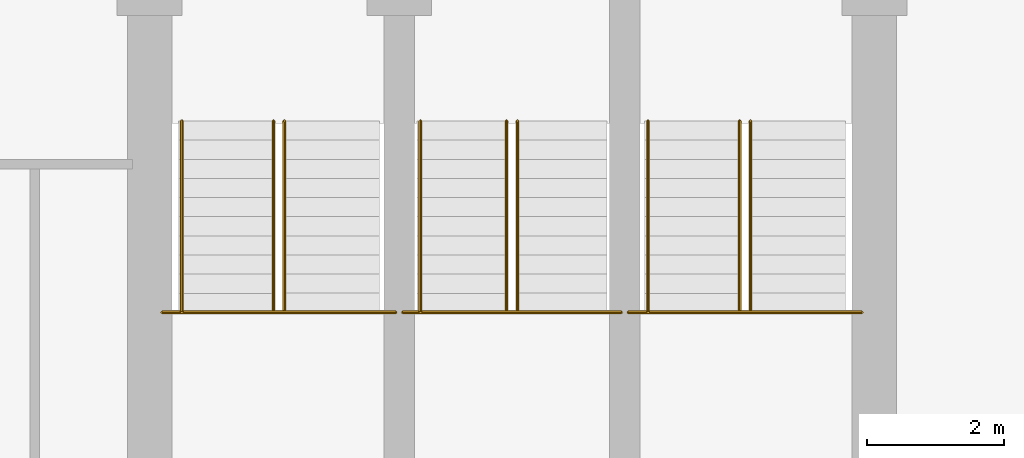
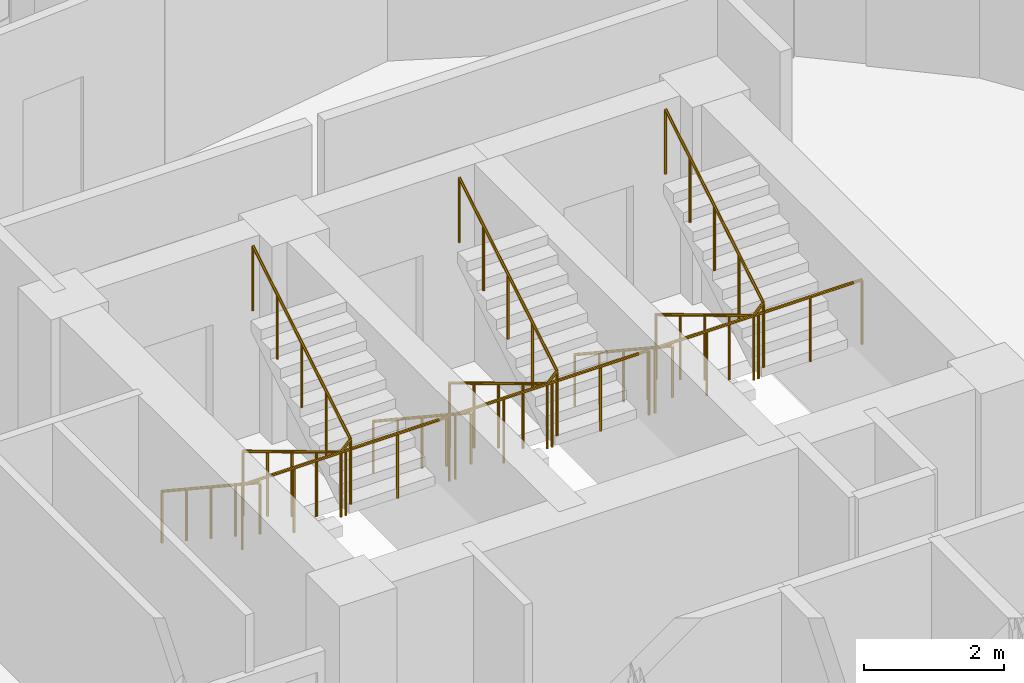
# One storey, part 26 of 26: 9 railings.
"""IFC4 building model written with IfcOpenShell, lengths in metres."""

from ifc_helpers import new_model, si_unit, direction, frame, origin, place, context, subcontext, project, spatial, polyline, outline, extrude, material, type_object, element, save


model = new_model("IFC4")

# Units and contexts
model_context = context("Model", 3, precision=1e-05, world=origin(), true_north=direction((0.0, 1.0)))
body_context = subcontext(model_context, "Body", "Model", "MODEL_VIEW")
ifc_project = project(units=[si_unit("LENGTHUNIT", "METRE"), si_unit("AREAUNIT", "SQUARE_METRE"), si_unit("VOLUMEUNIT", "CUBIC_METRE"), si_unit("PLANEANGLEUNIT", "RADIAN"), si_unit("MASSUNIT", "GRAM", prefix="KILO")], contexts=[model_context])

# Site, building, storey
site_placement = place(None, origin())
site = spatial("IfcSite", under=ifc_project, at=site_placement, CompositionType="ELEMENT")
building_placement = place(site_placement, origin())
building = spatial("IfcBuilding", under=site, at=building_placement, Name="Nuhasar Tower", CompositionType="ELEMENT")
storey_placement = place(building_placement, frame((0.0, 0.0, 177.449951171875)))
storey = spatial("IfcBuildingStorey", under=building, at=storey_placement, Name="L43", CompositionType="ELEMENT", Elevation=177.449951171875)

# Railings
ifc_material_1 = material(Name="Steel S355", Category="steel")
railing_type_1 = type_object("IfcRailingType", Name="RLG-STAIR-GUARD-1150", PredefinedType="GUARDRAIL", material=ifc_material_1)
railing_1_placement = place(storey_placement, frame((33.8798828125, 32.485107421875, 1.85009765625)))
element("IfcRailing", 1, at=railing_1_placement, inside=storey, type_object=railing_type_1, Name="L43 Stair ST-01 Guardrail LND", PredefinedType="GUARDRAIL", context=body_context, shape_type="SweptSolid", body=[
    extrude(outline(polyline([(0.024169921875, 0.0), (0.01708984375, 0.01708984375), (0.0, 0.024169921875), (-0.01708984375, 0.01708984375), (-0.024169921875, 0.0), (-0.01708984375, -0.01708984375), (0.0, -0.024169921875), (0.01708984375, -0.01708984375), (0.024169921875, 0.0)])), frame((0.0, 0.0, 1.1259765625), z_axis=(1.0, 0.0, 0.0), x_axis=(0.0, 1.0, 0.0)), (0.0, 0.0, 1.0), 3.420166015625),
    extrude(outline(polyline([(0.02099609375, 0.0), (0.014892578125, 0.014892578125), (0.0, 0.02099609375), (-0.014892578125, 0.014892578125), (-0.02099609375, 0.0), (-0.014892578125, -0.014892578125), (0.0, -0.02099609375), (0.014892578125, -0.014892578125), (0.02099609375, 0.0)])), origin(), (0.0, 0.0, 1.0), 1.101806640625),
    extrude(outline(polyline([(0.02099609375, 0.0), (0.014892578125, 0.014892578125), (0.0, 0.02099609375), (-0.014892578125, 0.014892578125), (-0.02099609375, 0.0), (-0.014892578125, -0.014892578125), (0.0, -0.02099609375), (0.014892578125, -0.014892578125), (0.02099609375, 0.0)])), frame((0.85498046875, 0.0, 0.0)), (0.0, 0.0, 1.0), 1.101806640625),
    extrude(outline(polyline([(0.02099609375, 0.0), (0.014892578125, 0.014892578125), (0.0, 0.02099609375), (-0.014892578125, 0.014892578125), (-0.02099609375, 0.0), (-0.014892578125, -0.014892578125), (0.0, -0.02099609375), (0.014892578125, -0.014892578125), (0.02099609375, 0.0)])), frame((1.7099609375, 0.0, 0.0)), (0.0, 0.0, 1.0), 1.101806640625),
    extrude(outline(polyline([(0.02099609375, 0.0), (0.014892578125, 0.014892578125), (0.0, 0.02099609375), (-0.014892578125, 0.014892578125), (-0.02099609375, 0.0), (-0.014892578125, -0.014892578125), (0.0, -0.02099609375), (0.014892578125, -0.014892578125), (0.02099609375, 0.0)])), frame((2.565185546875, 0.0, 0.0)), (0.0, 0.0, 1.0), 1.101806640625),
    extrude(outline(polyline([(0.02099609375, 0.0), (0.014892578125, 0.014892578125), (0.0, 0.02099609375), (-0.014892578125, 0.014892578125), (-0.02099609375, 0.0), (-0.014892578125, -0.014892578125), (0.0, -0.02099609375), (0.014892578125, -0.014892578125), (0.02099609375, 0.0)])), frame((3.420166015625, 0.0, 0.0)), (0.0, 0.0, 1.0), 1.101806640625),
])
railing_2_placement = place(storey_placement, frame((35.510009765625, 35.284912109375, 0.16796875)))
element("IfcRailing", 2, at=railing_2_placement, inside=storey, type_object=railing_type_1, Name="L43 Stair ST-01 Guardrail SLT", PredefinedType="GUARDRAIL", context=body_context, shape_type="SweptSolid", body=[
    extrude(outline(polyline([(0.024169921875, 0.0), (0.01708984375, 0.01708984375), (0.0, 0.024169921875), (-0.01708984375, 0.01708984375), (-0.024169921875, 0.0), (-0.01708984375, -0.01708984375), (0.0, -0.024169921875), (0.01708984375, -0.01708984375), (0.024169921875, 0.0)])), frame((0.0, 0.0, 1.1259765625), z_axis=(0.0, -0.857189395008, 0.515001302023), x_axis=(1.0, 0.0, 0.0)), (0.0, 0.0, 1.0), 3.266357421875),
    extrude(outline(polyline([(0.024169921875, 0.0), (0.01708984375, 0.01708984375), (0.0, 0.024169921875), (-0.01708984375, 0.01708984375), (-0.024169921875, 0.0), (-0.01708984375, -0.01708984375), (0.0, -0.024169921875), (0.01708984375, -0.01708984375), (0.024169921875, 0.0)])), frame((0.0, -2.7998046875, 2.80810546875), z_axis=(0.689523729023, 0.0, 0.72426309247), x_axis=(0.0, 1.0, 0.0)), (0.0, 0.0, 1.0), 0.23193359375),
    extrude(outline(polyline([(0.024169921875, 0.0), (0.01708984375, 0.01708984375), (0.0, 0.024169921875), (-0.01708984375, 0.01708984375), (-0.024169921875, 0.0), (-0.01708984375, -0.01708984375), (0.0, -0.024169921875), (0.01708984375, -0.01708984375), (0.024169921875, 0.0)])), frame((0.159912109375, -2.7998046875, 2.97607421875), z_axis=(0.0, 0.857222391501, 0.514946377315), x_axis=(-1.0, 0.0, 0.0)), (0.0, 0.0, 1.0), 3.26611328125),
    extrude(outline(polyline([(0.02099609375, 0.0), (0.014892578125, 0.014892578125), (0.0, 0.02099609375), (-0.014892578125, 0.014892578125), (-0.02099609375, 0.0), (-0.014892578125, -0.014892578125), (0.0, -0.02099609375), (0.014892578125, -0.014892578125), (0.02099609375, 0.0)])), origin(), (0.0, 0.0, 1.0), 1.101806640625),
    extrude(outline(polyline([(0.02099609375, 0.0), (0.014892578125, 0.014892578125), (0.0, 0.02099609375), (-0.014892578125, 0.014892578125), (-0.02099609375, 0.0), (-0.014892578125, -0.014892578125), (0.0, -0.02099609375), (0.014892578125, -0.014892578125), (0.02099609375, 0.0)])), frame((0.0, -0.699951171875, 0.42041015625)), (0.0, 0.0, 1.0), 1.101806640625),
    extrude(outline(polyline([(0.02099609375, 0.0), (0.014892578125, 0.014892578125), (0.0, 0.02099609375), (-0.014892578125, 0.014892578125), (-0.02099609375, 0.0), (-0.014892578125, -0.014892578125), (0.0, -0.02099609375), (0.014892578125, -0.014892578125), (0.02099609375, 0.0)])), frame((0.0, -1.39990234375, 0.841064453125)), (0.0, 0.0, 1.0), 1.101806640625),
    extrude(outline(polyline([(0.02099609375, 0.0), (0.014892578125, 0.014892578125), (0.0, 0.02099609375), (-0.014892578125, 0.014892578125), (-0.02099609375, 0.0), (-0.014892578125, -0.014892578125), (0.0, -0.02099609375), (0.014892578125, -0.014892578125), (0.02099609375, 0.0)])), frame((0.0, -2.099853515625, 1.26171875)), (0.0, 0.0, 1.0), 1.101806640625),
    extrude(outline(polyline([(0.02099609375, 0.0), (0.014892578125, 0.014892578125), (0.0, 0.02099609375), (-0.014892578125, 0.014892578125), (-0.02099609375, 0.0), (-0.014892578125, -0.014892578125), (0.0, -0.02099609375), (0.014892578125, -0.014892578125), (0.02099609375, 0.0)])), frame((0.0, -2.7998046875, 1.68212890625)), (0.0, 0.0, 1.0), 1.101806640625),
    extrude(outline(polyline([(0.02099609375, 0.0), (0.014892578125, 0.014892578125), (0.0, 0.02099609375), (-0.014892578125, 0.014892578125), (-0.02099609375, 0.0), (-0.014892578125, -0.014892578125), (0.0, -0.02099609375), (0.014892578125, -0.014892578125), (0.02099609375, 0.0)])), frame((0.159912109375, -2.7998046875, 1.85009765625)), (0.0, 0.0, 1.0), 1.101806640625),
    extrude(outline(polyline([(0.02099609375, 0.0), (0.014892578125, 0.014892578125), (0.0, 0.02099609375), (-0.014892578125, 0.014892578125), (-0.02099609375, 0.0), (-0.014892578125, -0.014892578125), (0.0, -0.02099609375), (0.014892578125, -0.014892578125), (0.02099609375, 0.0)])), frame((0.159912109375, -2.099853515625, 2.2705078125)), (0.0, 0.0, 1.0), 1.101806640625),
    extrude(outline(polyline([(0.02099609375, 0.0), (0.014892578125, 0.014892578125), (0.0, 0.02099609375), (-0.014892578125, 0.014892578125), (-0.02099609375, 0.0), (-0.014892578125, -0.014892578125), (0.0, -0.02099609375), (0.014892578125, -0.014892578125), (0.02099609375, 0.0)])), frame((0.159912109375, -1.39990234375, 2.69091796875)), (0.0, 0.0, 1.0), 1.101806640625),
    extrude(outline(polyline([(0.02099609375, 0.0), (0.014892578125, 0.014892578125), (0.0, 0.02099609375), (-0.014892578125, 0.014892578125), (-0.02099609375, 0.0), (-0.014892578125, -0.014892578125), (0.0, -0.02099609375), (0.014892578125, -0.014892578125), (0.02099609375, 0.0)])), frame((0.159912109375, -0.699951171875, 3.111572265625)), (0.0, 0.0, 1.0), 1.101806640625),
    extrude(outline(polyline([(0.02099609375, 0.0), (0.014892578125, 0.014892578125), (0.0, 0.02099609375), (-0.014892578125, 0.014892578125), (-0.02099609375, 0.0), (-0.014892578125, -0.014892578125), (0.0, -0.02099609375), (0.014892578125, -0.014892578125), (0.02099609375, 0.0)])), frame((0.159912109375, 0.0, 3.531982421875)), (0.0, 0.0, 1.0), 1.101806640625),
])
railing_3_placement = place(storey_placement, frame((37.39990234375, 32.485107421875, 1.85009765625)))
element("IfcRailing", 3, at=railing_3_placement, inside=storey, type_object=railing_type_1, Name="L43 Stair ST-03 Guardrail LND", PredefinedType="GUARDRAIL", context=body_context, shape_type="SweptSolid", body=[
    extrude(outline(polyline([(0.024169921875, 0.0), (0.01708984375, 0.01708984375), (0.0, 0.024169921875), (-0.01708984375, 0.01708984375), (-0.024169921875, 0.0), (-0.01708984375, -0.01708984375), (0.0, -0.024169921875), (0.01708984375, -0.01708984375), (0.024169921875, 0.0)])), frame((0.0, 0.0, 1.1259765625), z_axis=(1.0, 0.0, 0.0), x_axis=(0.0, 1.0, 0.0)), (0.0, 0.0, 1.0), 3.2001953125),
    extrude(outline(polyline([(0.02099609375, 0.0), (0.014892578125, 0.014892578125), (0.0, 0.02099609375), (-0.014892578125, 0.014892578125), (-0.02099609375, 0.0), (-0.014892578125, -0.014892578125), (0.0, -0.02099609375), (0.014892578125, -0.014892578125), (0.02099609375, 0.0)])), origin(), (0.0, 0.0, 1.0), 1.101806640625),
    extrude(outline(polyline([(0.02099609375, 0.0), (0.014892578125, 0.014892578125), (0.0, 0.02099609375), (-0.014892578125, 0.014892578125), (-0.02099609375, 0.0), (-0.014892578125, -0.014892578125), (0.0, -0.02099609375), (0.014892578125, -0.014892578125), (0.02099609375, 0.0)])), frame((0.800048828125, 0.0, 0.0)), (0.0, 0.0, 1.0), 1.101806640625),
    extrude(outline(polyline([(0.02099609375, 0.0), (0.014892578125, 0.014892578125), (0.0, 0.02099609375), (-0.014892578125, 0.014892578125), (-0.02099609375, 0.0), (-0.014892578125, -0.014892578125), (0.0, -0.02099609375), (0.014892578125, -0.014892578125), (0.02099609375, 0.0)])), frame((1.60009765625, 0.0, 0.0)), (0.0, 0.0, 1.0), 1.101806640625),
    extrude(outline(polyline([(0.02099609375, 0.0), (0.014892578125, 0.014892578125), (0.0, 0.02099609375), (-0.014892578125, 0.014892578125), (-0.02099609375, 0.0), (-0.014892578125, -0.014892578125), (0.0, -0.02099609375), (0.014892578125, -0.014892578125), (0.02099609375, 0.0)])), frame((2.400146484375, 0.0, 0.0)), (0.0, 0.0, 1.0), 1.101806640625),
    extrude(outline(polyline([(0.02099609375, 0.0), (0.014892578125, 0.014892578125), (0.0, 0.02099609375), (-0.014892578125, 0.014892578125), (-0.02099609375, 0.0), (-0.014892578125, -0.014892578125), (0.0, -0.02099609375), (0.014892578125, -0.014892578125), (0.02099609375, 0.0)])), frame((3.2001953125, 0.0, 0.0)), (0.0, 0.0, 1.0), 1.101806640625),
])
railing_4_placement = place(storey_placement, frame((38.919921875, 35.284912109375, 0.16796875)))
element("IfcRailing", 4, at=railing_4_placement, inside=storey, type_object=railing_type_1, Name="L43 Stair ST-03 Guardrail SLT", PredefinedType="GUARDRAIL", context=body_context, shape_type="SweptSolid", body=[
    extrude(outline(polyline([(0.024169921875, 0.0), (0.01708984375, 0.01708984375), (0.0, 0.024169921875), (-0.01708984375, 0.01708984375), (-0.024169921875, 0.0), (-0.01708984375, -0.01708984375), (0.0, -0.024169921875), (0.01708984375, -0.01708984375), (0.024169921875, 0.0)])), frame((0.0, 0.0, 1.1259765625), z_axis=(0.0, -0.857189395008, 0.515001302023), x_axis=(1.0, 0.0, 0.0)), (0.0, 0.0, 1.0), 3.266357421875),
    extrude(outline(polyline([(0.024169921875, 0.0), (0.01708984375, 0.01708984375), (0.0, 0.024169921875), (-0.01708984375, 0.01708984375), (-0.024169921875, 0.0), (-0.01708984375, -0.01708984375), (0.0, -0.024169921875), (0.01708984375, -0.01708984375), (0.024169921875, 0.0)])), frame((0.0, -2.7998046875, 2.80810546875), z_axis=(0.690075333573, 0.0, 0.723737544967), x_axis=(0.0, 1.0, 0.0)), (0.0, 0.0, 1.0), 0.232177734375),
    extrude(outline(polyline([(0.024169921875, 0.0), (0.01708984375, 0.01708984375), (0.0, 0.024169921875), (-0.01708984375, 0.01708984375), (-0.024169921875, 0.0), (-0.01708984375, -0.01708984375), (0.0, -0.024169921875), (0.01708984375, -0.01708984375), (0.024169921875, 0.0)])), frame((0.16015625, -2.7998046875, 2.97607421875), z_axis=(0.0, 0.857222391501, 0.514946377315), x_axis=(-1.0, 0.0, 0.0)), (0.0, 0.0, 1.0), 3.26611328125),
    extrude(outline(polyline([(0.02099609375, 0.0), (0.014892578125, 0.014892578125), (0.0, 0.02099609375), (-0.014892578125, 0.014892578125), (-0.02099609375, 0.0), (-0.014892578125, -0.014892578125), (0.0, -0.02099609375), (0.014892578125, -0.014892578125), (0.02099609375, 0.0)])), origin(), (0.0, 0.0, 1.0), 1.101806640625),
    extrude(outline(polyline([(0.02099609375, 0.0), (0.014892578125, 0.014892578125), (0.0, 0.02099609375), (-0.014892578125, 0.014892578125), (-0.02099609375, 0.0), (-0.014892578125, -0.014892578125), (0.0, -0.02099609375), (0.014892578125, -0.014892578125), (0.02099609375, 0.0)])), frame((0.0, -0.699951171875, 0.42041015625)), (0.0, 0.0, 1.0), 1.101806640625),
    extrude(outline(polyline([(0.02099609375, 0.0), (0.014892578125, 0.014892578125), (0.0, 0.02099609375), (-0.014892578125, 0.014892578125), (-0.02099609375, 0.0), (-0.014892578125, -0.014892578125), (0.0, -0.02099609375), (0.014892578125, -0.014892578125), (0.02099609375, 0.0)])), frame((0.0, -1.39990234375, 0.841064453125)), (0.0, 0.0, 1.0), 1.101806640625),
    extrude(outline(polyline([(0.02099609375, 0.0), (0.014892578125, 0.014892578125), (0.0, 0.02099609375), (-0.014892578125, 0.014892578125), (-0.02099609375, 0.0), (-0.014892578125, -0.014892578125), (0.0, -0.02099609375), (0.014892578125, -0.014892578125), (0.02099609375, 0.0)])), frame((0.0, -2.099853515625, 1.26171875)), (0.0, 0.0, 1.0), 1.101806640625),
    extrude(outline(polyline([(0.02099609375, 0.0), (0.014892578125, 0.014892578125), (0.0, 0.02099609375), (-0.014892578125, 0.014892578125), (-0.02099609375, 0.0), (-0.014892578125, -0.014892578125), (0.0, -0.02099609375), (0.014892578125, -0.014892578125), (0.02099609375, 0.0)])), frame((0.0, -2.7998046875, 1.68212890625)), (0.0, 0.0, 1.0), 1.101806640625),
    extrude(outline(polyline([(0.02099609375, 0.0), (0.014892578125, 0.014892578125), (0.0, 0.02099609375), (-0.014892578125, 0.014892578125), (-0.02099609375, 0.0), (-0.014892578125, -0.014892578125), (0.0, -0.02099609375), (0.014892578125, -0.014892578125), (0.02099609375, 0.0)])), frame((0.16015625, -2.7998046875, 1.85009765625)), (0.0, 0.0, 1.0), 1.101806640625),
    extrude(outline(polyline([(0.02099609375, 0.0), (0.014892578125, 0.014892578125), (0.0, 0.02099609375), (-0.014892578125, 0.014892578125), (-0.02099609375, 0.0), (-0.014892578125, -0.014892578125), (0.0, -0.02099609375), (0.014892578125, -0.014892578125), (0.02099609375, 0.0)])), frame((0.16015625, -2.099853515625, 2.2705078125)), (0.0, 0.0, 1.0), 1.101806640625),
    extrude(outline(polyline([(0.02099609375, 0.0), (0.014892578125, 0.014892578125), (0.0, 0.02099609375), (-0.014892578125, 0.014892578125), (-0.02099609375, 0.0), (-0.014892578125, -0.014892578125), (0.0, -0.02099609375), (0.014892578125, -0.014892578125), (0.02099609375, 0.0)])), frame((0.16015625, -1.39990234375, 2.69091796875)), (0.0, 0.0, 1.0), 1.101806640625),
    extrude(outline(polyline([(0.02099609375, 0.0), (0.014892578125, 0.014892578125), (0.0, 0.02099609375), (-0.014892578125, 0.014892578125), (-0.02099609375, 0.0), (-0.014892578125, -0.014892578125), (0.0, -0.02099609375), (0.014892578125, -0.014892578125), (0.02099609375, 0.0)])), frame((0.16015625, -0.699951171875, 3.111572265625)), (0.0, 0.0, 1.0), 1.101806640625),
    extrude(outline(polyline([(0.02099609375, 0.0), (0.014892578125, 0.014892578125), (0.0, 0.02099609375), (-0.014892578125, 0.014892578125), (-0.02099609375, 0.0), (-0.014892578125, -0.014892578125), (0.0, -0.02099609375), (0.014892578125, -0.014892578125), (0.02099609375, 0.0)])), frame((0.16015625, 0.0, 3.531982421875)), (0.0, 0.0, 1.0), 1.101806640625),
])
railing_5_placement = place(storey_placement, frame((40.699951171875, 32.485107421875, 1.85009765625)))
element("IfcRailing", 5, at=railing_5_placement, inside=storey, type_object=railing_type_1, Name="L43 Stair ST-02 Guardrail LND", PredefinedType="GUARDRAIL", context=body_context, shape_type="SweptSolid", body=[
    extrude(outline(polyline([(0.024169921875, 0.0), (0.01708984375, 0.01708984375), (0.0, 0.024169921875), (-0.01708984375, 0.01708984375), (-0.024169921875, 0.0), (-0.01708984375, -0.01708984375), (0.0, -0.024169921875), (0.01708984375, -0.01708984375), (0.024169921875, 0.0)])), frame((0.0, 0.0, 1.1259765625), z_axis=(1.0, 0.0, 0.0), x_axis=(0.0, 1.0, 0.0)), (0.0, 0.0, 1.0), 3.420166015625),
    extrude(outline(polyline([(0.02099609375, 0.0), (0.014892578125, 0.014892578125), (0.0, 0.02099609375), (-0.014892578125, 0.014892578125), (-0.02099609375, 0.0), (-0.014892578125, -0.014892578125), (0.0, -0.02099609375), (0.014892578125, -0.014892578125), (0.02099609375, 0.0)])), origin(), (0.0, 0.0, 1.0), 1.101806640625),
    extrude(outline(polyline([(0.02099609375, 0.0), (0.014892578125, 0.014892578125), (0.0, 0.02099609375), (-0.014892578125, 0.014892578125), (-0.02099609375, 0.0), (-0.014892578125, -0.014892578125), (0.0, -0.02099609375), (0.014892578125, -0.014892578125), (0.02099609375, 0.0)])), frame((0.85498046875, 0.0, 0.0)), (0.0, 0.0, 1.0), 1.101806640625),
    extrude(outline(polyline([(0.02099609375, 0.0), (0.014892578125, 0.014892578125), (0.0, 0.02099609375), (-0.014892578125, 0.014892578125), (-0.02099609375, 0.0), (-0.014892578125, -0.014892578125), (0.0, -0.02099609375), (0.014892578125, -0.014892578125), (0.02099609375, 0.0)])), frame((1.7099609375, 0.0, 0.0)), (0.0, 0.0, 1.0), 1.101806640625),
    extrude(outline(polyline([(0.02099609375, 0.0), (0.014892578125, 0.014892578125), (0.0, 0.02099609375), (-0.014892578125, 0.014892578125), (-0.02099609375, 0.0), (-0.014892578125, -0.014892578125), (0.0, -0.02099609375), (0.014892578125, -0.014892578125), (0.02099609375, 0.0)])), frame((2.565185546875, 0.0, 0.0)), (0.0, 0.0, 1.0), 1.101806640625),
    extrude(outline(polyline([(0.02099609375, 0.0), (0.014892578125, 0.014892578125), (0.0, 0.02099609375), (-0.014892578125, 0.014892578125), (-0.02099609375, 0.0), (-0.014892578125, -0.014892578125), (0.0, -0.02099609375), (0.014892578125, -0.014892578125), (0.02099609375, 0.0)])), frame((3.420166015625, 0.0, 0.0)), (0.0, 0.0, 1.0), 1.101806640625),
])
railing_6_placement = place(storey_placement, frame((42.330078125, 35.284912109375, 0.16796875)))
element("IfcRailing", 6, at=railing_6_placement, inside=storey, type_object=railing_type_1, Name="L43 Stair ST-02 Guardrail SLT", PredefinedType="GUARDRAIL", context=body_context, shape_type="SweptSolid", body=[
    extrude(outline(polyline([(0.024169921875, 0.0), (0.01708984375, 0.01708984375), (0.0, 0.024169921875), (-0.01708984375, 0.01708984375), (-0.024169921875, 0.0), (-0.01708984375, -0.01708984375), (0.0, -0.024169921875), (0.01708984375, -0.01708984375), (0.024169921875, 0.0)])), frame((0.0, 0.0, 1.1259765625), z_axis=(0.0, -0.857189395008, 0.515001302023), x_axis=(1.0, 0.0, 0.0)), (0.0, 0.0, 1.0), 3.266357421875),
    extrude(outline(polyline([(0.024169921875, 0.0), (0.01708984375, 0.01708984375), (0.0, 0.024169921875), (-0.01708984375, 0.01708984375), (-0.024169921875, 0.0), (-0.01708984375, -0.01708984375), (0.0, -0.024169921875), (0.01708984375, -0.01708984375), (0.024169921875, 0.0)])), frame((0.0, -2.7998046875, 2.80810546875), z_axis=(0.689523729023, 0.0, 0.72426309247), x_axis=(0.0, 1.0, 0.0)), (0.0, 0.0, 1.0), 0.23193359375),
    extrude(outline(polyline([(0.024169921875, 0.0), (0.01708984375, 0.01708984375), (0.0, 0.024169921875), (-0.01708984375, 0.01708984375), (-0.024169921875, 0.0), (-0.01708984375, -0.01708984375), (0.0, -0.024169921875), (0.01708984375, -0.01708984375), (0.024169921875, 0.0)])), frame((0.159912109375, -2.7998046875, 2.97607421875), z_axis=(0.0, 0.857222391501, 0.514946377315), x_axis=(-1.0, 0.0, 0.0)), (0.0, 0.0, 1.0), 3.26611328125),
    extrude(outline(polyline([(0.02099609375, 0.0), (0.014892578125, 0.014892578125), (0.0, 0.02099609375), (-0.014892578125, 0.014892578125), (-0.02099609375, 0.0), (-0.014892578125, -0.014892578125), (0.0, -0.02099609375), (0.014892578125, -0.014892578125), (0.02099609375, 0.0)])), origin(), (0.0, 0.0, 1.0), 1.101806640625),
    extrude(outline(polyline([(0.02099609375, 0.0), (0.014892578125, 0.014892578125), (0.0, 0.02099609375), (-0.014892578125, 0.014892578125), (-0.02099609375, 0.0), (-0.014892578125, -0.014892578125), (0.0, -0.02099609375), (0.014892578125, -0.014892578125), (0.02099609375, 0.0)])), frame((0.0, -0.699951171875, 0.42041015625)), (0.0, 0.0, 1.0), 1.101806640625),
    extrude(outline(polyline([(0.02099609375, 0.0), (0.014892578125, 0.014892578125), (0.0, 0.02099609375), (-0.014892578125, 0.014892578125), (-0.02099609375, 0.0), (-0.014892578125, -0.014892578125), (0.0, -0.02099609375), (0.014892578125, -0.014892578125), (0.02099609375, 0.0)])), frame((0.0, -1.39990234375, 0.841064453125)), (0.0, 0.0, 1.0), 1.101806640625),
    extrude(outline(polyline([(0.02099609375, 0.0), (0.014892578125, 0.014892578125), (0.0, 0.02099609375), (-0.014892578125, 0.014892578125), (-0.02099609375, 0.0), (-0.014892578125, -0.014892578125), (0.0, -0.02099609375), (0.014892578125, -0.014892578125), (0.02099609375, 0.0)])), frame((0.0, -2.099853515625, 1.26171875)), (0.0, 0.0, 1.0), 1.101806640625),
    extrude(outline(polyline([(0.02099609375, 0.0), (0.014892578125, 0.014892578125), (0.0, 0.02099609375), (-0.014892578125, 0.014892578125), (-0.02099609375, 0.0), (-0.014892578125, -0.014892578125), (0.0, -0.02099609375), (0.014892578125, -0.014892578125), (0.02099609375, 0.0)])), frame((0.0, -2.7998046875, 1.68212890625)), (0.0, 0.0, 1.0), 1.101806640625),
    extrude(outline(polyline([(0.02099609375, 0.0), (0.014892578125, 0.014892578125), (0.0, 0.02099609375), (-0.014892578125, 0.014892578125), (-0.02099609375, 0.0), (-0.014892578125, -0.014892578125), (0.0, -0.02099609375), (0.014892578125, -0.014892578125), (0.02099609375, 0.0)])), frame((0.159912109375, -2.7998046875, 1.85009765625)), (0.0, 0.0, 1.0), 1.101806640625),
    extrude(outline(polyline([(0.02099609375, 0.0), (0.014892578125, 0.014892578125), (0.0, 0.02099609375), (-0.014892578125, 0.014892578125), (-0.02099609375, 0.0), (-0.014892578125, -0.014892578125), (0.0, -0.02099609375), (0.014892578125, -0.014892578125), (0.02099609375, 0.0)])), frame((0.159912109375, -2.099853515625, 2.2705078125)), (0.0, 0.0, 1.0), 1.101806640625),
    extrude(outline(polyline([(0.02099609375, 0.0), (0.014892578125, 0.014892578125), (0.0, 0.02099609375), (-0.014892578125, 0.014892578125), (-0.02099609375, 0.0), (-0.014892578125, -0.014892578125), (0.0, -0.02099609375), (0.014892578125, -0.014892578125), (0.02099609375, 0.0)])), frame((0.159912109375, -1.39990234375, 2.69091796875)), (0.0, 0.0, 1.0), 1.101806640625),
    extrude(outline(polyline([(0.02099609375, 0.0), (0.014892578125, 0.014892578125), (0.0, 0.02099609375), (-0.014892578125, 0.014892578125), (-0.02099609375, 0.0), (-0.014892578125, -0.014892578125), (0.0, -0.02099609375), (0.014892578125, -0.014892578125), (0.02099609375, 0.0)])), frame((0.159912109375, -0.699951171875, 3.111572265625)), (0.0, 0.0, 1.0), 1.101806640625),
    extrude(outline(polyline([(0.02099609375, 0.0), (0.014892578125, 0.014892578125), (0.0, 0.02099609375), (-0.014892578125, 0.014892578125), (-0.02099609375, 0.0), (-0.014892578125, -0.014892578125), (0.0, -0.02099609375), (0.014892578125, -0.014892578125), (0.02099609375, 0.0)])), frame((0.159912109375, 0.0, 3.531982421875)), (0.0, 0.0, 1.0), 1.101806640625),
])
ifc_material_2 = material(Name="Stainless Steel 316L", Category="steel")
railing_type_2 = type_object("IfcRailingType", Name="RLG-STAIR-HAND-920", PredefinedType="HANDRAIL", material=ifc_material_2)
railing_7_placement = place(storey_placement, frame((34.169921875, 35.284912109375, 0.16796875)))
element("IfcRailing", 7, at=railing_7_placement, inside=storey, type_object=railing_type_2, Name="L43 Stair ST-01 Handrail HND1", PredefinedType="HANDRAIL", context=body_context, shape_type="SweptSolid", body=[
    extrude(outline(polyline([(0.024169921875, 0.0), (0.01708984375, 0.01708984375), (0.0, 0.024169921875), (-0.01708984375, 0.01708984375), (-0.024169921875, 0.0), (-0.01708984375, -0.01708984375), (0.0, -0.024169921875), (0.01708984375, -0.01708984375), (0.024169921875, 0.0)])), frame((0.0, 0.0, 0.89599609375), z_axis=(0.0, -0.834304248922, 0.551304290053), x_axis=(1.0, 0.0, 0.0)), (0.0, 0.0, 1.0), 3.35595703125),
    extrude(outline(polyline([(0.02099609375, 0.0), (0.014892578125, 0.014892578125), (0.0, 0.02099609375), (-0.014892578125, 0.014892578125), (-0.02099609375, 0.0), (-0.014892578125, -0.014892578125), (0.0, -0.02099609375), (0.014892578125, -0.014892578125), (0.02099609375, 0.0)])), origin(), (0.0, 0.0, 1.0), 0.871826171875),
    extrude(outline(polyline([(0.02099609375, 0.0), (0.014892578125, 0.014892578125), (0.0, 0.02099609375), (-0.014892578125, 0.014892578125), (-0.02099609375, 0.0), (-0.014892578125, -0.014892578125), (0.0, -0.02099609375), (0.014892578125, -0.014892578125), (0.02099609375, 0.0)])), frame((0.0, -0.699951171875, 0.46240234375)), (0.0, 0.0, 1.0), 0.871826171875),
    extrude(outline(polyline([(0.02099609375, 0.0), (0.014892578125, 0.014892578125), (0.0, 0.02099609375), (-0.014892578125, 0.014892578125), (-0.02099609375, 0.0), (-0.014892578125, -0.014892578125), (0.0, -0.02099609375), (0.014892578125, -0.014892578125), (0.02099609375, 0.0)])), frame((0.0, -1.39990234375, 0.925048828125)), (0.0, 0.0, 1.0), 0.871826171875),
    extrude(outline(polyline([(0.02099609375, 0.0), (0.014892578125, 0.014892578125), (0.0, 0.02099609375), (-0.014892578125, 0.014892578125), (-0.02099609375, 0.0), (-0.014892578125, -0.014892578125), (0.0, -0.02099609375), (0.014892578125, -0.014892578125), (0.02099609375, 0.0)])), frame((0.0, -2.099853515625, 1.3876953125)), (0.0, 0.0, 1.0), 0.871826171875),
    extrude(outline(polyline([(0.02099609375, 0.0), (0.014892578125, 0.014892578125), (0.0, 0.02099609375), (-0.014892578125, 0.014892578125), (-0.02099609375, 0.0), (-0.014892578125, -0.014892578125), (0.0, -0.02099609375), (0.014892578125, -0.014892578125), (0.02099609375, 0.0)])), frame((0.0, -2.7998046875, 1.85009765625)), (0.0, 0.0, 1.0), 0.871826171875),
])
railing_8_placement = place(storey_placement, frame((37.659912109375, 35.284912109375, 0.16796875)))
element("IfcRailing", 8, at=railing_8_placement, inside=storey, type_object=railing_type_2, Name="L43 Stair ST-03 Handrail HND1", PredefinedType="HANDRAIL", context=body_context, shape_type="SweptSolid", body=[
    extrude(outline(polyline([(0.024169921875, 0.0), (0.01708984375, 0.01708984375), (0.0, 0.024169921875), (-0.01708984375, 0.01708984375), (-0.024169921875, 0.0), (-0.01708984375, -0.01708984375), (0.0, -0.024169921875), (0.01708984375, -0.01708984375), (0.024169921875, 0.0)])), frame((0.0, 0.0, 0.89599609375), z_axis=(0.0, -0.834304248922, 0.551304290053), x_axis=(1.0, 0.0, 0.0)), (0.0, 0.0, 1.0), 3.35595703125),
    extrude(outline(polyline([(0.02099609375, 0.0), (0.014892578125, 0.014892578125), (0.0, 0.02099609375), (-0.014892578125, 0.014892578125), (-0.02099609375, 0.0), (-0.014892578125, -0.014892578125), (0.0, -0.02099609375), (0.014892578125, -0.014892578125), (0.02099609375, 0.0)])), origin(), (0.0, 0.0, 1.0), 0.871826171875),
    extrude(outline(polyline([(0.02099609375, 0.0), (0.014892578125, 0.014892578125), (0.0, 0.02099609375), (-0.014892578125, 0.014892578125), (-0.02099609375, 0.0), (-0.014892578125, -0.014892578125), (0.0, -0.02099609375), (0.014892578125, -0.014892578125), (0.02099609375, 0.0)])), frame((0.0, -0.699951171875, 0.46240234375)), (0.0, 0.0, 1.0), 0.871826171875),
    extrude(outline(polyline([(0.02099609375, 0.0), (0.014892578125, 0.014892578125), (0.0, 0.02099609375), (-0.014892578125, 0.014892578125), (-0.02099609375, 0.0), (-0.014892578125, -0.014892578125), (0.0, -0.02099609375), (0.014892578125, -0.014892578125), (0.02099609375, 0.0)])), frame((0.0, -1.39990234375, 0.925048828125)), (0.0, 0.0, 1.0), 0.871826171875),
    extrude(outline(polyline([(0.02099609375, 0.0), (0.014892578125, 0.014892578125), (0.0, 0.02099609375), (-0.014892578125, 0.014892578125), (-0.02099609375, 0.0), (-0.014892578125, -0.014892578125), (0.0, -0.02099609375), (0.014892578125, -0.014892578125), (0.02099609375, 0.0)])), frame((0.0, -2.099853515625, 1.3876953125)), (0.0, 0.0, 1.0), 0.871826171875),
    extrude(outline(polyline([(0.02099609375, 0.0), (0.014892578125, 0.014892578125), (0.0, 0.02099609375), (-0.014892578125, 0.014892578125), (-0.02099609375, 0.0), (-0.014892578125, -0.014892578125), (0.0, -0.02099609375), (0.014892578125, -0.014892578125), (0.02099609375, 0.0)])), frame((0.0, -2.7998046875, 1.85009765625)), (0.0, 0.0, 1.0), 0.871826171875),
])
railing_9_placement = place(storey_placement, frame((40.989990234375, 35.284912109375, 0.16796875)))
element("IfcRailing", 9, at=railing_9_placement, inside=storey, type_object=railing_type_2, Name="L43 Stair ST-02 Handrail HND1", PredefinedType="HANDRAIL", context=body_context, shape_type="SweptSolid", body=[
    extrude(outline(polyline([(0.024169921875, 0.0), (0.01708984375, 0.01708984375), (0.0, 0.024169921875), (-0.01708984375, 0.01708984375), (-0.024169921875, 0.0), (-0.01708984375, -0.01708984375), (0.0, -0.024169921875), (0.01708984375, -0.01708984375), (0.024169921875, 0.0)])), frame((0.0, 0.0, 0.89599609375), z_axis=(0.0, -0.834304248922, 0.551304290053), x_axis=(1.0, 0.0, 0.0)), (0.0, 0.0, 1.0), 3.35595703125),
    extrude(outline(polyline([(0.02099609375, 0.0), (0.014892578125, 0.014892578125), (0.0, 0.02099609375), (-0.014892578125, 0.014892578125), (-0.02099609375, 0.0), (-0.014892578125, -0.014892578125), (0.0, -0.02099609375), (0.014892578125, -0.014892578125), (0.02099609375, 0.0)])), origin(), (0.0, 0.0, 1.0), 0.871826171875),
    extrude(outline(polyline([(0.02099609375, 0.0), (0.014892578125, 0.014892578125), (0.0, 0.02099609375), (-0.014892578125, 0.014892578125), (-0.02099609375, 0.0), (-0.014892578125, -0.014892578125), (0.0, -0.02099609375), (0.014892578125, -0.014892578125), (0.02099609375, 0.0)])), frame((0.0, -0.699951171875, 0.46240234375)), (0.0, 0.0, 1.0), 0.871826171875),
    extrude(outline(polyline([(0.02099609375, 0.0), (0.014892578125, 0.014892578125), (0.0, 0.02099609375), (-0.014892578125, 0.014892578125), (-0.02099609375, 0.0), (-0.014892578125, -0.014892578125), (0.0, -0.02099609375), (0.014892578125, -0.014892578125), (0.02099609375, 0.0)])), frame((0.0, -1.39990234375, 0.925048828125)), (0.0, 0.0, 1.0), 0.871826171875),
    extrude(outline(polyline([(0.02099609375, 0.0), (0.014892578125, 0.014892578125), (0.0, 0.02099609375), (-0.014892578125, 0.014892578125), (-0.02099609375, 0.0), (-0.014892578125, -0.014892578125), (0.0, -0.02099609375), (0.014892578125, -0.014892578125), (0.02099609375, 0.0)])), frame((0.0, -2.099853515625, 1.3876953125)), (0.0, 0.0, 1.0), 0.871826171875),
    extrude(outline(polyline([(0.02099609375, 0.0), (0.014892578125, 0.014892578125), (0.0, 0.02099609375), (-0.014892578125, 0.014892578125), (-0.02099609375, 0.0), (-0.014892578125, -0.014892578125), (0.0, -0.02099609375), (0.014892578125, -0.014892578125), (0.02099609375, 0.0)])), frame((0.0, -2.7998046875, 1.85009765625)), (0.0, 0.0, 1.0), 0.871826171875),
])

save(model, "model.ifc")
